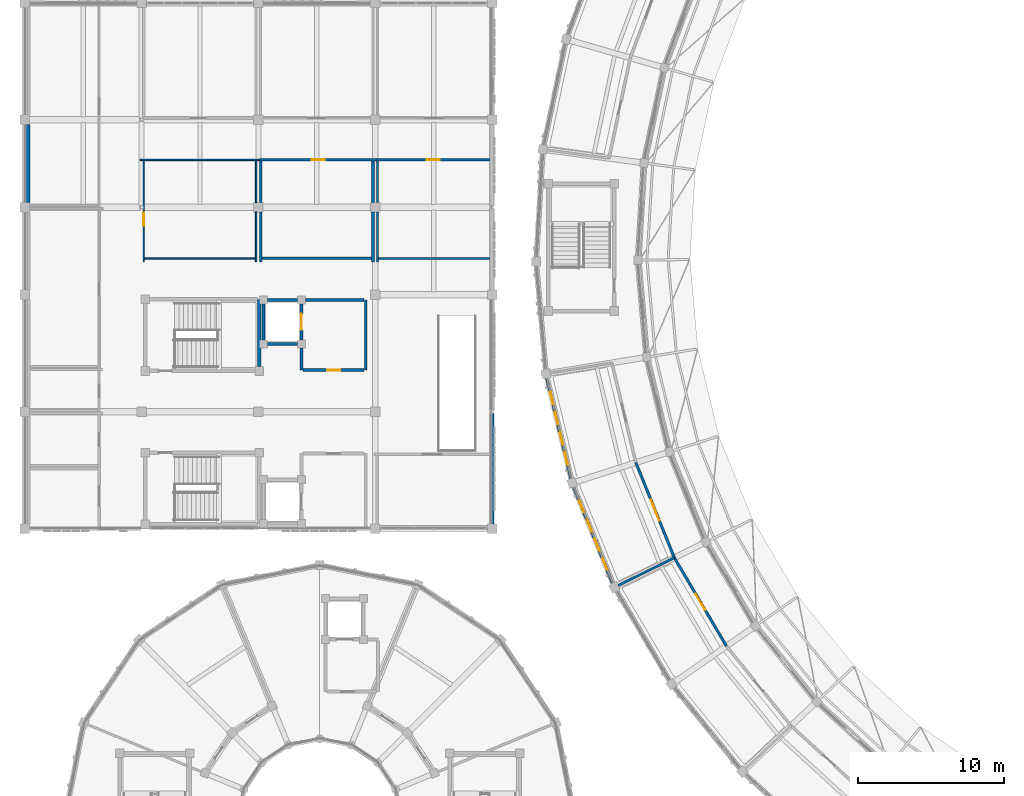
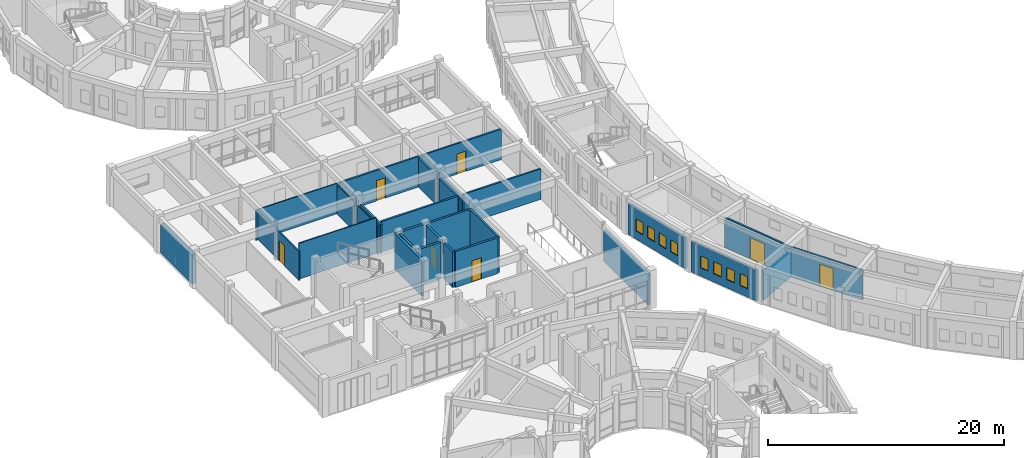
# One storey, part 78 of 112: 31 walls, 8 windows, 7 doors, 15 openings.
"""IFC4 building model written with IfcOpenShell, lengths in metres."""

from ifc_helpers import new_model, si_unit, direction, frame, frame_2d, origin, place, context, subcontext, project, spatial, rectangle, extrude, material, layer, layer_set, type_object, element, fill, save


model = new_model("IFC4")

# Units and contexts
model_context = context("Model", 3, precision=1e-05, world=origin(), true_north=direction((0.0, 1.0)))
body_context = subcontext(model_context, "Body", "Model", "MODEL_VIEW")
ifc_project = project(units=[si_unit("LENGTHUNIT", "METRE"), si_unit("AREAUNIT", "SQUARE_METRE"), si_unit("VOLUMEUNIT", "CUBIC_METRE"), si_unit("PLANEANGLEUNIT", "RADIAN"), si_unit("MASSUNIT", "GRAM", prefix="KILO")], contexts=[model_context])

# Site, building, storey
site_placement = place(None, origin())
site = spatial("IfcSite", under=ifc_project, at=site_placement, CompositionType="ELEMENT")
building_placement = place(site_placement, origin())
building = spatial("IfcBuilding", under=site, at=building_placement, Name="Celadon Cloister-Ring School", CompositionType="ELEMENT")
storey_placement = place(building_placement, frame((0.0, 0.0, 8.5)))
storey = spatial("IfcBuildingStorey", under=building, at=storey_placement, Name="L02", CompositionType="ELEMENT", Elevation=8.5)

# Wall
ifc_material_1 = material(Name="Rendered concrete blockwork", Category="masonry")
ifc_layer_1 = layer(ifc_material_1, 0.260009765625)
ifc_layer_set_1 = layer_set([ifc_layer_1], Name="Rendered concrete blockwork")
wall_type_1 = type_object("IfcWallType", Name="WT-EX2", PredefinedType="SOLIDWALL", material=ifc_layer_set_1)
wall_1_placement = place(storey_placement, frame((32.0, 47.887939453125, 0.0), z_axis=(0.0, 0.0, 1.0), x_axis=(0.0, -1.0, 0.0)))
element("IfcWall", 1, at=wall_1_placement, inside=storey, type_object=wall_type_1, Name="Exterior Wall 0521", PredefinedType="SOLIDWALL", context=body_context, shape_type="SweptSolid", body=[
    extrude(rectangle(XDim=7.56103515625, YDim=0.260009765625, at=frame_2d((3.780517578125, 0.0))), origin(), (0.0, 0.0, 1.0), 3.152099609375),
])

# Wall, openings, windows
ifc_material_2 = material(Name="Perforated terracotta clay brick masonry", Category="masonry")
ifc_layer_2 = layer(ifc_material_2, 0.219970703125)
ifc_layer_set_2 = layer_set([ifc_layer_2], Name="Perforated terracotta clay brick masonry")
wall_type_2 = type_object("IfcWallType", Name="WT-EX4", PredefinedType="SOLIDWALL", material=ifc_layer_set_2)
wall_2_placement = place(storey_placement, frame((37.412109375, 43.419921875, 0.0), z_axis=(0.0, 0.0, 1.0), x_axis=(-0.234017027709, 0.972232498296, 0.0)))
wall_2 = element("IfcWall", 2, at=wall_2_placement, inside=storey, type_object=wall_type_2, Name="Exterior Wall 0118", PredefinedType="SOLIDWALL", context=body_context, shape_type="SweptSolid", body=[
    extrude(rectangle(XDim=7.08154296875, YDim=0.219970703125, at=frame_2d((3.540771484375, 0.0))), origin(), (0.0, 0.0, 1.0), 3.19189453125),
])
opening_1_placement = place(wall_2_placement, frame((0.990966796875, 0.0, 0.85009765625)))
opening_1 = element("IfcOpeningElement", 3, at=opening_1_placement, cuts=wall_2, Name="Opening WN-11", PredefinedType="OPENING", context=body_context, shape_type="SweptSolid", body=[
    extrude(rectangle(XDim=0.85009765625, YDim=1.25, at=frame_2d((0.425048828125, 0.625))), frame((0.0, 0.1201171875, 0.0), z_axis=(0.0, -1.0, 0.0), x_axis=(1.0, 0.0, 0.0)), (0.0, 0.0, 1.0), 0.239990234375),
])
opening_2_placement = place(wall_2_placement, frame((2.407958984375, 0.0, 0.85009765625)))
opening_2 = element("IfcOpeningElement", 4, at=opening_2_placement, cuts=wall_2, Name="Opening WN-11", PredefinedType="OPENING", context=body_context, shape_type="SweptSolid", body=[
    extrude(rectangle(XDim=0.85009765625, YDim=1.25, at=frame_2d((0.425048828125, 0.625))), frame((0.0, 0.1201171875, 0.0), z_axis=(0.0, -1.0, 0.0), x_axis=(1.0, 0.0, 0.0)), (0.0, 0.0, 1.0), 0.239990234375),
])
opening_3_placement = place(wall_2_placement, frame((3.823974609375, 0.0, 0.85009765625)))
opening_3 = element("IfcOpeningElement", 5, at=opening_3_placement, cuts=wall_2, Name="Opening WN-11", PredefinedType="OPENING", context=body_context, shape_type="SweptSolid", body=[
    extrude(rectangle(XDim=0.85009765625, YDim=1.25, at=frame_2d((0.425048828125, 0.625))), frame((0.0, 0.1201171875, 0.0), z_axis=(0.0, -1.0, 0.0), x_axis=(1.0, 0.0, 0.0)), (0.0, 0.0, 1.0), 0.239990234375),
])
opening_4_placement = place(wall_2_placement, frame((5.239990234375, 0.0, 0.85009765625)))
opening_4 = element("IfcOpeningElement", 6, at=opening_4_placement, cuts=wall_2, Name="Opening WN-11", PredefinedType="OPENING", context=body_context, shape_type="SweptSolid", body=[
    extrude(rectangle(XDim=0.85009765625, YDim=1.25, at=frame_2d((0.425048828125, 0.625))), frame((0.0, 0.1201171875, 0.0), z_axis=(0.0, -1.0, 0.0), x_axis=(1.0, 0.0, 0.0)), (0.0, 0.0, 1.0), 0.239990234375),
])
ifc_material_3 = material(Name="Tempered laminated insulating glass", Category="glass")
window_type = type_object("IfcWindowType", Name="WN-11", PartitioningType="SINGLE_PANEL", PredefinedType="WINDOW", material=ifc_material_3)
window_1_placement = place(opening_1_placement, origin())
window_1 = element("IfcWindow", 7, at=window_1_placement, inside=storey, type_object=window_type, Name="Window 0311", OverallHeight=1.25, OverallWidth=0.85009765625, PartitioningType="SINGLE_PANEL", PredefinedType="WINDOW", context=body_context, shape_type="SweptSolid", body=[
    extrude(rectangle(XDim=0.85009765625, YDim=1.25, at=frame_2d((0.425048828125, 0.625))), frame((0.0, 0.030029296875, 0.0), z_axis=(0.0, -1.0, 0.0), x_axis=(1.0, 0.0, 0.0)), (0.0, 0.0, 1.0), 0.06005859375),
])
fill(opening_1, window_1)
window_2_placement = place(opening_2_placement, origin())
window_2 = element("IfcWindow", 8, at=window_2_placement, inside=storey, type_object=window_type, Name="Window 0312", OverallHeight=1.25, OverallWidth=0.85009765625, PartitioningType="SINGLE_PANEL", PredefinedType="WINDOW", context=body_context, shape_type="SweptSolid", body=[
    extrude(rectangle(XDim=0.85009765625, YDim=1.25, at=frame_2d((0.425048828125, 0.625))), frame((0.0, 0.030029296875, 0.0), z_axis=(0.0, -1.0, 0.0), x_axis=(1.0, 0.0, 0.0)), (0.0, 0.0, 1.0), 0.06005859375),
])
fill(opening_2, window_2)
window_3_placement = place(opening_3_placement, origin())
window_3 = element("IfcWindow", 9, at=window_3_placement, inside=storey, type_object=window_type, Name="Window 0313", OverallHeight=1.25, OverallWidth=0.85009765625, PartitioningType="SINGLE_PANEL", PredefinedType="WINDOW", context=body_context, shape_type="SweptSolid", body=[
    extrude(rectangle(XDim=0.85009765625, YDim=1.25, at=frame_2d((0.425048828125, 0.625))), frame((0.0, 0.030029296875, 0.0), z_axis=(0.0, -1.0, 0.0), x_axis=(1.0, 0.0, 0.0)), (0.0, 0.0, 1.0), 0.06005859375),
])
fill(opening_3, window_3)
window_4_placement = place(opening_4_placement, origin())
window_4 = element("IfcWindow", 10, at=window_4_placement, inside=storey, type_object=window_type, Name="Window 0314", OverallHeight=1.25, OverallWidth=0.85009765625, PartitioningType="SINGLE_PANEL", PredefinedType="WINDOW", context=body_context, shape_type="SweptSolid", body=[
    extrude(rectangle(XDim=0.85009765625, YDim=1.25, at=frame_2d((0.425048828125, 0.625))), frame((0.0, 0.030029296875, 0.0), z_axis=(0.0, -1.0, 0.0), x_axis=(1.0, 0.0, 0.0)), (0.0, 0.0, 1.0), 0.06005859375),
])
fill(opening_4, window_4)

wall_3_placement = place(storey_placement, frame((40.258056640625, 36.264892578125, 0.0), z_axis=(0.0, 0.0, 1.0), x_axis=(-0.375031251377, 0.92701216847, 0.0)))
wall_3 = element("IfcWall", 11, at=wall_3_placement, inside=storey, type_object=wall_type_2, Name="Exterior Wall 0120", PredefinedType="SOLIDWALL", context=body_context, shape_type="SweptSolid", body=[
    extrude(rectangle(XDim=7.08203125, YDim=0.219970703125, at=frame_2d((3.541015625, 0.0))), origin(), (0.0, 0.0, 1.0), 3.19189453125),
])
opening_5_placement = place(wall_3_placement, frame((0.990966796875, 0.0, 0.85009765625)))
opening_5 = element("IfcOpeningElement", 12, at=opening_5_placement, cuts=wall_3, Name="Opening WN-11", PredefinedType="OPENING", context=body_context, shape_type="SweptSolid", body=[
    extrude(rectangle(XDim=0.85009765625, YDim=1.25, at=frame_2d((0.425048828125, 0.625))), frame((0.0, 0.1201171875, 0.0), z_axis=(0.0, -1.0, 0.0), x_axis=(1.0, 0.0, 0.0)), (0.0, 0.0, 1.0), 0.239990234375),
])
opening_6_placement = place(wall_3_placement, frame((2.407958984375, 0.0, 0.85009765625)))
opening_6 = element("IfcOpeningElement", 13, at=opening_6_placement, cuts=wall_3, Name="Opening WN-11", PredefinedType="OPENING", context=body_context, shape_type="SweptSolid", body=[
    extrude(rectangle(XDim=0.85009765625, YDim=1.25, at=frame_2d((0.425048828125, 0.625))), frame((0.0, 0.1201171875, 0.0), z_axis=(0.0, -1.0, 0.0), x_axis=(1.0, 0.0, 0.0)), (0.0, 0.0, 1.0), 0.239990234375),
])
opening_7_placement = place(wall_3_placement, frame((3.823974609375, 0.0, 0.85009765625)))
opening_7 = element("IfcOpeningElement", 14, at=opening_7_placement, cuts=wall_3, Name="Opening WN-11", PredefinedType="OPENING", context=body_context, shape_type="SweptSolid", body=[
    extrude(rectangle(XDim=0.85009765625, YDim=1.25, at=frame_2d((0.425048828125, 0.625))), frame((0.0, 0.1201171875, 0.0), z_axis=(0.0, -1.0, 0.0), x_axis=(1.0, 0.0, 0.0)), (0.0, 0.0, 1.0), 0.239990234375),
])
opening_8_placement = place(wall_3_placement, frame((5.240966796875, 0.0, 0.85009765625)))
opening_8 = element("IfcOpeningElement", 15, at=opening_8_placement, cuts=wall_3, Name="Opening WN-11", PredefinedType="OPENING", context=body_context, shape_type="SweptSolid", body=[
    extrude(rectangle(XDim=0.85009765625, YDim=1.25, at=frame_2d((0.425048828125, 0.625))), frame((0.0, 0.1201171875, 0.0), z_axis=(0.0, -1.0, 0.0), x_axis=(1.0, 0.0, 0.0)), (0.0, 0.0, 1.0), 0.239990234375),
])
window_5_placement = place(opening_5_placement, origin())
window_5 = element("IfcWindow", 16, at=window_5_placement, inside=storey, type_object=window_type, Name="Window 0316", OverallHeight=1.25, OverallWidth=0.85009765625, PartitioningType="SINGLE_PANEL", PredefinedType="WINDOW", context=body_context, shape_type="SweptSolid", body=[
    extrude(rectangle(XDim=0.85009765625, YDim=1.25, at=frame_2d((0.425048828125, 0.625))), frame((0.0, 0.030029296875, 0.0), z_axis=(0.0, -1.0, 0.0), x_axis=(1.0, 0.0, 0.0)), (0.0, 0.0, 1.0), 0.06005859375),
])
fill(opening_5, window_5)
window_6_placement = place(opening_6_placement, origin())
window_6 = element("IfcWindow", 17, at=window_6_placement, inside=storey, type_object=window_type, Name="Window 0317", OverallHeight=1.25, OverallWidth=0.85009765625, PartitioningType="SINGLE_PANEL", PredefinedType="WINDOW", context=body_context, shape_type="SweptSolid", body=[
    extrude(rectangle(XDim=0.85009765625, YDim=1.25, at=frame_2d((0.425048828125, 0.625))), frame((0.0, 0.030029296875, 0.0), z_axis=(0.0, -1.0, 0.0), x_axis=(1.0, 0.0, 0.0)), (0.0, 0.0, 1.0), 0.06005859375),
])
fill(opening_6, window_6)
window_7_placement = place(opening_7_placement, origin())
window_7 = element("IfcWindow", 18, at=window_7_placement, inside=storey, type_object=window_type, Name="Window 0318", OverallHeight=1.25, OverallWidth=0.85009765625, PartitioningType="SINGLE_PANEL", PredefinedType="WINDOW", context=body_context, shape_type="SweptSolid", body=[
    extrude(rectangle(XDim=0.85009765625, YDim=1.25, at=frame_2d((0.425048828125, 0.625))), frame((0.0, 0.030029296875, 0.0), z_axis=(0.0, -1.0, 0.0), x_axis=(1.0, 0.0, 0.0)), (0.0, 0.0, 1.0), 0.06005859375),
])
fill(opening_7, window_7)
window_8_placement = place(opening_8_placement, origin())
window_8 = element("IfcWindow", 19, at=window_8_placement, inside=storey, type_object=window_type, Name="Window 0319", OverallHeight=1.25, OverallWidth=0.85009765625, PartitioningType="SINGLE_PANEL", PredefinedType="WINDOW", context=body_context, shape_type="SweptSolid", body=[
    extrude(rectangle(XDim=0.85009765625, YDim=1.25, at=frame_2d((0.425048828125, 0.625))), frame((0.0, 0.030029296875, 0.0), z_axis=(0.0, -1.0, 0.0), x_axis=(1.0, 0.0, 0.0)), (0.0, 0.0, 1.0), 0.06005859375),
])
fill(opening_8, window_8)

# Walls
ifc_material_4 = material(Name="Concrete C40/50", Category="concrete")
ifc_layer_3 = layer(ifc_material_4, 0.35009765625)
ifc_layer_set_3 = layer_set([ifc_layer_3], Name="Concrete C40/50")
wall_type_3 = type_object("IfcWallType", Name="WT-FW2", PredefinedType="SHEAR", material=ifc_layer_set_3)
wall_4_placement = place(storey_placement, frame((0.175048828125, 62.326904296875, 0.0), z_axis=(0.0, 0.0, 1.0), x_axis=(0.0, 1.0, 0.0)))
element("IfcWall", 20, at=wall_4_placement, inside=storey, type_object=wall_type_3, Name="Exterior Wall 0527", PredefinedType="SHEAR", context=body_context, shape_type="SweptSolid", body=[
    extrude(rectangle(XDim=5.34619140625, YDim=0.35009765625, at=frame_2d((2.673095703125, 0.0))), origin(), (0.0, 0.0, 1.0), 3.001953125),
])
ifc_material_5 = material(Name="Plastered hollow concrete masonry", Category="masonry")
ifc_layer_4 = layer(ifc_material_5, 0.199951171875)
ifc_layer_set_4 = layer_set([ifc_layer_4], Name="Plastered hollow concrete masonry")
wall_type_4 = type_object("IfcWallType", Name="WT-PT1", PredefinedType="PARTITIONING", material=ifc_layer_set_4)
wall_5_placement = place(storey_placement, frame((18.949951171875, 50.85009765625, 0.0), z_axis=(0.0, 0.0, 1.0), x_axis=(0.0, 1.0, 0.0)))
element("IfcWall", 21, at=wall_5_placement, inside=storey, type_object=wall_type_4, Name="Interior Wall 0271", PredefinedType="PARTITIONING", context=body_context, shape_type="SweptSolid", body=[
    extrude(rectangle(XDim=1.532958984375, YDim=0.199951171875, at=frame_2d((0.7666015625, 0.0))), origin(), (0.0, 0.0, 1.0), 3.699951171875),
])
wall_6_placement = place(storey_placement, frame((23.35009765625, 50.85009765625, 0.0), z_axis=(0.0, 0.0, 1.0), x_axis=(0.0, 1.0, 0.0)))
element("IfcWall", 22, at=wall_6_placement, inside=storey, type_object=wall_type_4, Name="Interior Wall 0272", PredefinedType="PARTITIONING", context=body_context, shape_type="SweptSolid", body=[
    extrude(rectangle(XDim=4.7998046875, YDim=0.199951171875, at=frame_2d((2.39990234375, 0.0))), origin(), (0.0, 0.0, 1.0), 3.699951171875),
])
wall_7_placement = place(storey_placement, frame((19.217041015625, 55.64990234375, 0.0), z_axis=(0.0, 0.0, 1.0), x_axis=(1.0, 0.0, 0.0)))
element("IfcWall", 23, at=wall_7_placement, inside=storey, type_object=wall_type_4, Name="Interior Wall 0273", PredefinedType="PARTITIONING", context=body_context, shape_type="SweptSolid", body=[
    extrude(rectangle(XDim=4.030029296875, YDim=0.199951171875, at=frame_2d((2.01513671875, 0.0))), origin(), (0.0, 0.0, 1.0), 3.699951171875),
])

# Wall, opening, door
wall_8_placement = place(storey_placement, frame((19.052978515625, 50.85009765625, 0.0), z_axis=(0.0, 0.0, 1.0), x_axis=(1.0, 0.0, 0.0)))
wall_8 = element("IfcWall", 24, at=wall_8_placement, inside=storey, type_object=wall_type_4, Name="Interior Wall 0274", PredefinedType="PARTITIONING", context=body_context, shape_type="SweptSolid", body=[
    extrude(rectangle(XDim=4.194091796875, YDim=0.199951171875, at=frame_2d((2.09716796875, 0.0))), origin(), (0.0, 0.0, 1.0), 3.699951171875),
])
opening_9_placement = place(wall_8_placement, frame((1.64697265625, 0.0, 0.0)))
opening_9 = element("IfcOpeningElement", 25, at=opening_9_placement, cuts=wall_8, Name="Opening D-0093", PredefinedType="OPENING", context=body_context, shape_type="SweptSolid", body=[
    extrude(rectangle(XDim=0.89990234375, YDim=2.199951171875, at=frame_2d((0.449951171875, 1.10009765625))), frame((0.0, 0.10986328125, 0.0), z_axis=(0.0, -1.0, 0.0), x_axis=(1.0, 0.0, 0.0)), (0.0, 0.0, 1.0), 0.219970703125),
])
ifc_material_6 = material(Name="Solid-core fire-rated hardwood leaf", Category="wood")
door_type_1 = type_object("IfcDoorType", Name="DT-06", OperationType="NOTDEFINED", PredefinedType="DOOR", material=ifc_material_6)
door_1_placement = place(opening_9_placement, origin())
door_1 = element("IfcDoor", 26, at=door_1_placement, inside=storey, type_object=door_type_1, Name="Door D-0093", OperationType="SINGLE_SWING_LEFT", OverallHeight=2.199951171875, OverallWidth=0.89990234375, PredefinedType="DOOR", context=body_context, shape_type="SweptSolid", body=[
    extrude(rectangle(XDim=0.89990234375, YDim=2.199951171875, at=frame_2d((0.449951171875, 1.10009765625))), frame((0.0, 0.02490234375, 0.0), z_axis=(0.0, -1.0, 0.0), x_axis=(1.0, 0.0, 0.0)), (0.0, 0.0, 1.0), 0.050048828125),
])
fill(opening_9, door_1)

ifc_material_7 = material(Name="Plastered hollow concrete masonry", Category="masonry")
ifc_layer_5 = layer(ifc_material_7, 0.179931640625)
ifc_layer_set_5 = layer_set([ifc_layer_5], Name="Plastered hollow concrete masonry")
wall_type_5 = type_object("IfcWallType", Name="WT-PT2", PredefinedType="PARTITIONING", material=ifc_layer_set_5)
wall_9_placement = place(storey_placement, frame((41.845947265625, 44.51708984375, 0.0), z_axis=(0.0, 0.0, 1.0), x_axis=(0.375036360506, -0.927010101508, 0.0)))
wall_9 = element("IfcWall", 27, at=wall_9_placement, inside=storey, type_object=wall_type_5, Name="Interior Wall 0569", PredefinedType="PARTITIONING", context=body_context, shape_type="SweptSolid", body=[
    extrude(rectangle(XDim=7.026123046875, YDim=0.179931640625, at=frame_2d((3.51318359375, 0.0))), origin(), (0.0, 0.0, 1.0), 3.092041015625),
])
opening_10_placement = place(wall_9_placement, frame((2.738037109375, 0.0, 0.0)))
opening_10 = element("IfcOpeningElement", 28, at=opening_10_placement, cuts=wall_9, Name="Opening D-0184", PredefinedType="OPENING", context=body_context, shape_type="SweptSolid", body=[
    extrude(rectangle(XDim=1.550048828125, YDim=2.199951171875, at=frame_2d((0.77490234375, 1.10009765625))), frame((0.0, 0.10009765625, 0.0), z_axis=(0.0, -1.0, 0.0), x_axis=(1.0, 0.0, 0.0)), (0.0, 0.0, 1.0), 0.199951171875),
])
ifc_material_8 = material(Name="Galvanised fire-rated hollow steel leaf", Category="steel")
door_type_2 = type_object("IfcDoorType", Name="DT-13", OperationType="NOTDEFINED", PredefinedType="DOOR", material=ifc_material_8)
door_2_placement = place(opening_10_placement, origin())
door_2 = element("IfcDoor", 29, at=door_2_placement, inside=storey, type_object=door_type_2, Name="Door D-0184", OperationType="SINGLE_SWING_RIGHT", OverallHeight=2.199951171875, OverallWidth=1.550048828125, PredefinedType="DOOR", context=body_context, shape_type="SweptSolid", body=[
    extrude(rectangle(XDim=1.550048828125, YDim=2.199951171875, at=frame_2d((0.77490234375, 1.10009765625))), frame((0.0, 0.02490234375, 0.0), z_axis=(0.0, -1.0, 0.0), x_axis=(1.0, 0.0, 0.0)), (0.0, 0.0, 1.0), 0.050048828125),
])
fill(opening_10, door_2)

wall_10_placement = place(storey_placement, frame((44.48095703125, 38.00390625, 0.0), z_axis=(0.0, 0.0, 1.0), x_axis=(0.508041876767, -0.861332369908, 0.0)))
wall_10 = element("IfcWall", 30, at=wall_10_placement, inside=storey, type_object=wall_type_5, Name="Interior Wall 0570", PredefinedType="PARTITIONING", context=body_context, shape_type="SweptSolid", body=[
    extrude(rectangle(XDim=7.025146484375, YDim=0.179931640625, at=frame_2d((3.5126953125, 0.0))), origin(), (0.0, 0.0, 1.0), 3.092041015625),
])
opening_11_placement = place(wall_10_placement, frame((2.863037109375, 0.0, 0.0)))
opening_11 = element("IfcOpeningElement", 31, at=opening_11_placement, cuts=wall_10, Name="Opening D-0185", PredefinedType="OPENING", context=body_context, shape_type="SweptSolid", body=[
    extrude(rectangle(XDim=1.300048828125, YDim=2.280029296875, at=frame_2d((0.64990234375, 1.14013671875))), frame((0.0, 0.10009765625, 0.0), z_axis=(0.0, -1.0, 0.0), x_axis=(1.0, 0.0, 0.0)), (0.0, 0.0, 1.0), 0.199951171875),
])
ifc_material_9 = material(Name="Galvanised fire-rated hollow steel leaf", Category="steel")
door_type_3 = type_object("IfcDoorType", Name="DT-16", OperationType="NOTDEFINED", PredefinedType="DOOR", material=ifc_material_9)
door_3_placement = place(opening_11_placement, origin())
door_3 = element("IfcDoor", 32, at=door_3_placement, inside=storey, type_object=door_type_3, Name="Door D-0185", OperationType="SINGLE_SWING_LEFT", OverallHeight=2.280029296875, OverallWidth=1.300048828125, PredefinedType="DOOR", context=body_context, shape_type="SweptSolid", body=[
    extrude(rectangle(XDim=1.300048828125, YDim=2.280029296875, at=frame_2d((0.64990234375, 1.14013671875))), frame((0.0, 0.02490234375, 0.0), z_axis=(0.0, -1.0, 0.0), x_axis=(1.0, 0.0, 0.0)), (0.0, 0.0, 1.0), 0.050048828125),
])
fill(opening_11, door_3)

wall_11_placement = place(storey_placement, frame((16.090087890625, 65.25, 0.0), z_axis=(0.0, 0.0, 1.0), x_axis=(1.0, 0.0, 0.0)))
wall_11 = element("IfcWall", 33, at=wall_11_placement, inside=storey, type_object=wall_type_5, Name="Interior Wall 1034", PredefinedType="PARTITIONING", context=body_context, shape_type="SweptSolid", body=[
    extrude(rectangle(XDim=8.0, YDim=0.179931640625, at=frame_2d((4.0, 0.0))), origin(), (0.0, 0.0, 1.0), 3.152099609375),
])
opening_12_placement = place(wall_11_placement, frame((3.56005859375, 0.0, 0.0)))
opening_12 = element("IfcOpeningElement", 34, at=opening_12_placement, cuts=wall_11, Name="Opening D-0370", PredefinedType="OPENING", context=body_context, shape_type="SweptSolid", body=[
    extrude(rectangle(XDim=0.8798828125, YDim=2.10009765625, at=frame_2d((0.43994140625, 1.050048828125))), frame((0.0, 0.10009765625, 0.0), z_axis=(0.0, -1.0, 0.0), x_axis=(1.0, 0.0, 0.0)), (0.0, 0.0, 1.0), 0.199951171875),
])
ifc_material_10 = material(Name="Solid-core fire-rated hardwood leaf", Category="wood")
door_type_4 = type_object("IfcDoorType", Name="DT-01", OperationType="NOTDEFINED", PredefinedType="DOOR", material=ifc_material_10)
door_4_placement = place(opening_12_placement, origin())
door_4 = element("IfcDoor", 35, at=door_4_placement, inside=storey, type_object=door_type_4, Name="Door D-0370", OperationType="SINGLE_SWING_RIGHT", OverallHeight=2.10009765625, OverallWidth=0.8798828125, PredefinedType="DOOR", context=body_context, shape_type="SweptSolid", body=[
    extrude(rectangle(XDim=0.8798828125, YDim=2.10009765625, at=frame_2d((0.43994140625, 1.050048828125))), frame((0.0, 0.02490234375, 0.0), z_axis=(0.0, -1.0, 0.0), x_axis=(1.0, 0.0, 0.0)), (0.0, 0.0, 1.0), 0.050048828125),
])
fill(opening_12, door_4)

# Walls
wall_12_placement = place(storey_placement, frame((23.85009765625, 65.156982421875, 0.0), z_axis=(0.0, 0.0, 1.0), x_axis=(0.0, -1.0, 0.0)))
element("IfcWall", 36, at=wall_12_placement, inside=storey, type_object=wall_type_5, Name="Interior Wall 1035", PredefinedType="PARTITIONING", context=body_context, shape_type="SweptSolid", body=[
    extrude(rectangle(XDim=2.840087890625, YDim=0.179931640625, at=frame_2d((1.419921875, 0.0))), origin(), (0.0, 0.0, 1.0), 3.001953125),
])
for number, where, z_axis, x_axis, name in (
    (37, (23.85009765625, 61.68310546875, 0.0), (0.0, 0.0, 1.0), (0.0, -1.0, 0.0), "Interior Wall 1036"),
    (38, (16.14990234375, 58.260009765625, 0.0), (0.0, 0.0, 1.0), (0.0, 1.0, 0.0), "Interior Wall 1037"),
):
    element("IfcWall", number, at=place(storey_placement, frame(where, z_axis=z_axis, x_axis=x_axis)), inside=storey, type_object=wall_type_5, Name=name, PredefinedType="PARTITIONING", context=body_context, shape_type="SweptSolid", body=[
        extrude(rectangle(XDim=3.423095703125, YDim=0.179931640625, at=frame_2d((1.71142578125, 0.0))), origin(), (0.0, 0.0, 1.0), 3.001953125),
    ])
wall_13_placement = place(storey_placement, frame((16.14990234375, 62.31689453125, 0.0), z_axis=(0.0, 0.0, 1.0), x_axis=(0.0, 1.0, 0.0)))
element("IfcWall", 39, at=wall_13_placement, inside=storey, type_object=wall_type_5, Name="Interior Wall 1038", PredefinedType="PARTITIONING", context=body_context, shape_type="SweptSolid", body=[
    extrude(rectangle(XDim=2.840087890625, YDim=0.179931640625, at=frame_2d((1.419921875, 0.0))), origin(), (0.0, 0.0, 1.0), 3.001953125),
])
wall_14_placement = place(storey_placement, frame((23.757080078125, 58.5, 0.0), z_axis=(0.0, 0.0, 1.0), x_axis=(-1.0, 0.0, 0.0)))
element("IfcWall", 40, at=wall_14_placement, inside=storey, type_object=wall_type_5, Name="Interior Wall 1039", PredefinedType="PARTITIONING", context=body_context, shape_type="SweptSolid", body=[
    extrude(rectangle(XDim=7.51416015625, YDim=0.179931640625, at=frame_2d((3.757080078125, 0.0))), origin(), (0.0, 0.0, 1.0), 3.152099609375),
])
ifc_material_11 = material(Name="Plastered hollow concrete masonry", Category="masonry")
ifc_layer_6 = layer(ifc_material_11, 0.159912109375)
ifc_layer_set_6 = layer_set([ifc_layer_6], Name="Plastered hollow concrete masonry")
wall_type_6 = type_object("IfcWallType", Name="WT-PT3", PredefinedType="PARTITIONING", material=ifc_layer_set_6)
wall_15_placement = place(storey_placement, frame((44.48095703125, 38.00390625, 0.0), z_axis=(0.0, 0.0, 1.0), x_axis=(-0.896659718164, -0.442720396889, 0.0)))
element("IfcWall", 41, at=wall_15_placement, inside=storey, type_object=wall_type_6, Name="Interior Wall 0542", PredefinedType="PARTITIONING", context=body_context, shape_type="SweptSolid", body=[
    extrude(rectangle(XDim=4.287109375, YDim=0.159912109375, at=frame_2d((2.1435546875, 0.0))), origin(), (0.0, 0.0, 1.0), 3.092041015625),
])

# Wall, opening, door
wall_16_placement = place(storey_placement, frame((24.090087890625, 65.25, 0.0), z_axis=(0.0, 0.0, 1.0), x_axis=(1.0, 0.0, 0.0)))
wall_16 = element("IfcWall", 42, at=wall_16_placement, inside=storey, type_object=wall_type_6, Name="Interior Wall 1040", PredefinedType="PARTITIONING", context=body_context, shape_type="SweptSolid", body=[
    extrude(rectangle(XDim=7.77685546875, YDim=0.159912109375, at=frame_2d((3.888427734375, 0.0))), origin(), (0.0, 0.0, 1.0), 3.152099609375),
])
opening_13_placement = place(wall_16_placement, frame((3.448974609375, 0.0, 0.0)))
opening_13 = element("IfcOpeningElement", 43, at=opening_13_placement, cuts=wall_16, Name="Opening D-0371", PredefinedType="OPENING", context=body_context, shape_type="SweptSolid", body=[
    extrude(rectangle(XDim=0.8798828125, YDim=2.10009765625, at=frame_2d((0.43994140625, 1.050048828125))), frame((0.0, 0.08984375, 0.0), z_axis=(0.0, -1.0, 0.0), x_axis=(1.0, 0.0, 0.0)), (0.0, 0.0, 1.0), 0.179931640625),
])
door_5_placement = place(opening_13_placement, origin())
door_5 = element("IfcDoor", 44, at=door_5_placement, inside=storey, type_object=door_type_4, Name="Door D-0371", OperationType="SINGLE_SWING_LEFT", OverallHeight=2.10009765625, OverallWidth=0.8798828125, PredefinedType="DOOR", context=body_context, shape_type="SweptSolid", body=[
    extrude(rectangle(XDim=0.8798828125, YDim=2.10009765625, at=frame_2d((0.43994140625, 1.050048828125))), frame((0.0, 0.02490234375, 0.0), z_axis=(0.0, -1.0, 0.0), x_axis=(1.0, 0.0, 0.0)), (0.0, 0.0, 1.0), 0.050048828125),
])
fill(opening_13, door_5)

# Walls
wall_17_placement = place(storey_placement, frame((24.14990234375, 58.260009765625, 0.0), z_axis=(0.0, 0.0, 1.0), x_axis=(0.0, 1.0, 0.0)))
element("IfcWall", 45, at=wall_17_placement, inside=storey, type_object=wall_type_6, Name="Interior Wall 1041", PredefinedType="PARTITIONING", context=body_context, shape_type="SweptSolid", body=[
    extrude(rectangle(XDim=3.423095703125, YDim=0.159912109375, at=frame_2d((1.71142578125, 0.0))), origin(), (0.0, 0.0, 1.0), 3.001953125),
])
wall_18_placement = place(storey_placement, frame((24.14990234375, 62.31689453125, 0.0), z_axis=(0.0, 0.0, 1.0), x_axis=(0.0, 1.0, 0.0)))
element("IfcWall", 46, at=wall_18_placement, inside=storey, type_object=wall_type_6, Name="Interior Wall 1042", PredefinedType="PARTITIONING", context=body_context, shape_type="SweptSolid", body=[
    extrude(rectangle(XDim=2.85009765625, YDim=0.159912109375, at=frame_2d((1.425048828125, 0.0))), origin(), (0.0, 0.0, 1.0), 3.001953125),
])
wall_19_placement = place(storey_placement, frame((31.866943359375, 58.5, 0.0), z_axis=(0.0, 0.0, 1.0), x_axis=(-1.0, 0.0, 0.0)))
element("IfcWall", 47, at=wall_19_placement, inside=storey, type_object=wall_type_6, Name="Interior Wall 1043", PredefinedType="PARTITIONING", context=body_context, shape_type="SweptSolid", body=[
    extrude(rectangle(XDim=7.634033203125, YDim=0.159912109375, at=frame_2d((3.81689453125, 0.0))), origin(), (0.0, 0.0, 1.0), 3.152099609375),
])
ifc_material_12 = material(Name="Acoustic mineral-wool drywall partition")
ifc_layer_7 = layer(ifc_material_12, 0.10009765625)
ifc_layer_set_7 = layer_set([ifc_layer_7], Name="Acoustic mineral-wool drywall partition")
wall_type_7 = type_object("IfcWallType", Name="WT-PT6", PredefinedType="PARTITIONING", material=ifc_layer_set_7)
wall_20_placement = place(storey_placement, frame((7.909912109375, 65.25, 0.0), z_axis=(0.0, 0.0, 1.0), x_axis=(1.0, 0.0, 0.0)))
element("IfcWall", 48, at=wall_20_placement, inside=storey, type_object=wall_type_7, Name="Interior Wall 1029", PredefinedType="PARTITIONING", context=body_context, shape_type="SweptSolid", body=[
    extrude(rectangle(XDim=8.18017578125, YDim=0.10009765625, at=frame_2d((4.090087890625, 0.0))), origin(), (0.0, 0.0, 1.0), 3.152099609375),
])
wall_21_placement = place(storey_placement, frame((15.85009765625, 65.197021484375, 0.0), z_axis=(0.0, 0.0, 1.0), x_axis=(0.0, -1.0, 0.0)))
element("IfcWall", 49, at=wall_21_placement, inside=storey, type_object=wall_type_7, Name="Interior Wall 1030", PredefinedType="PARTITIONING", context=body_context, shape_type="SweptSolid", body=[
    extrude(rectangle(XDim=2.880126953125, YDim=0.10009765625, at=frame_2d((1.43994140625, 0.0))), origin(), (0.0, 0.0, 1.0), 3.001953125),
])
wall_22_placement = place(storey_placement, frame((15.85009765625, 61.68310546875, 0.0), z_axis=(0.0, 0.0, 1.0), x_axis=(0.0, -1.0, 0.0)))
element("IfcWall", 50, at=wall_22_placement, inside=storey, type_object=wall_type_7, Name="Interior Wall 1031", PredefinedType="PARTITIONING", context=body_context, shape_type="SweptSolid", body=[
    extrude(rectangle(XDim=3.423095703125, YDim=0.10009765625, at=frame_2d((1.71142578125, 0.0))), origin(), (0.0, 0.0, 1.0), 3.001953125),
])

# Wall, opening, door
wall_23_placement = place(storey_placement, frame((8.14990234375, 58.260009765625, 0.0), z_axis=(0.0, 0.0, 1.0), x_axis=(0.0, 1.0, 0.0)))
wall_23 = element("IfcWall", 51, at=wall_23_placement, inside=storey, type_object=wall_type_7, Name="Interior Wall 1032", PredefinedType="PARTITIONING", context=body_context, shape_type="SweptSolid", body=[
    extrude(rectangle(XDim=6.93701171875, YDim=0.10009765625, at=frame_2d((3.468505859375, 0.0))), origin(), (0.0, 0.0, 1.0), 3.001953125),
])
opening_14_placement = place(wall_23_placement, frame((2.47412109375, 0.0, 0.0)))
opening_14 = element("IfcOpeningElement", 52, at=opening_14_placement, cuts=wall_23, Name="Opening D-0369", PredefinedType="OPENING", context=body_context, shape_type="SweptSolid", body=[
    extrude(rectangle(XDim=0.8798828125, YDim=2.10009765625, at=frame_2d((0.43994140625, 1.050048828125))), frame((0.0, 0.06005859375, 0.0), z_axis=(0.0, -1.0, 0.0), x_axis=(1.0, 0.0, 0.0)), (0.0, 0.0, 1.0), 0.1201171875),
])
door_6_placement = place(opening_14_placement, origin())
door_6 = element("IfcDoor", 53, at=door_6_placement, inside=storey, type_object=door_type_4, Name="Door D-0369", OperationType="SINGLE_SWING_LEFT", OverallHeight=2.10009765625, OverallWidth=0.8798828125, PredefinedType="DOOR", context=body_context, shape_type="SweptSolid", body=[
    extrude(rectangle(XDim=0.8798828125, YDim=2.10009765625, at=frame_2d((0.43994140625, 1.050048828125))), frame((0.0, 0.02490234375, 0.0), z_axis=(0.0, -1.0, 0.0), x_axis=(1.0, 0.0, 0.0)), (0.0, 0.0, 1.0), 0.050048828125),
])
fill(opening_14, door_6)

# Walls
wall_24_placement = place(storey_placement, frame((15.797119140625, 58.5, 0.0), z_axis=(0.0, 0.0, 1.0), x_axis=(-1.0, 0.0, 0.0)))
element("IfcWall", 54, at=wall_24_placement, inside=storey, type_object=wall_type_7, Name="Interior Wall 1033", PredefinedType="PARTITIONING", context=body_context, shape_type="SweptSolid", body=[
    extrude(rectangle(XDim=7.59423828125, YDim=0.10009765625, at=frame_2d((3.797119140625, 0.0))), origin(), (0.0, 0.0, 1.0), 3.699951171875),
])
ifc_material_13 = material(Name="Concrete C40/50", Category="concrete")
ifc_layer_8 = layer(ifc_material_13, 0.239990234375)
ifc_layer_set_8 = layer_set([ifc_layer_8], Name="Concrete C40/50")
wall_type_8 = type_object("IfcWallType", Name="WT-SH1", PredefinedType="SHEAR", material=ifc_layer_set_8)
wall_25_placement = place(storey_placement, frame((16.050048828125, 55.699951171875, 0.0), z_axis=(0.0, 0.0, 1.0), x_axis=(0.0, -1.0, 0.0)))
element("IfcWall", 55, at=wall_25_placement, inside=storey, type_object=wall_type_8, Name="Interior Wall 0034", PredefinedType="SHEAR", context=body_context, shape_type="SweptSolid", body=[
    extrude(rectangle(XDim=4.60791015625, YDim=0.239990234375, at=frame_2d((2.303955078125, 0.0))), origin(), (0.0, 0.0, 1.0), 3.739990234375),
])
ifc_material_14 = material(Name="Concrete C40/50", Category="concrete")
ifc_layer_9 = layer(ifc_material_14, 0.219970703125)
ifc_layer_set_9 = layer_set([ifc_layer_9], Name="Concrete C40/50")
wall_type_9 = type_object("IfcWallType", Name="WT-SH2", PredefinedType="SHEAR", material=ifc_layer_set_9)
wall_26_placement = place(storey_placement, frame((16.616943359375, 52.64990234375, 0.0), z_axis=(0.0, 0.0, 1.0), x_axis=(1.0, 0.0, 0.0)))
element("IfcWall", 56, at=wall_26_placement, inside=storey, type_object=wall_type_9, Name="Interior Wall 0267", PredefinedType="SHEAR", context=body_context, shape_type="SweptSolid", body=[
    extrude(rectangle(XDim=2.066162109375, YDim=0.219970703125, at=frame_2d((1.033203125, 0.0))), origin(), (0.0, 0.0, 1.0), 3.739990234375),
])

# Wall, opening, door
wall_27_placement = place(storey_placement, frame((18.949951171875, 52.9169921875, 0.0), z_axis=(0.0, 0.0, 1.0), x_axis=(0.0, 1.0, 0.0)))
wall_27 = element("IfcWall", 57, at=wall_27_placement, inside=storey, type_object=wall_type_9, Name="Interior Wall 0268", PredefinedType="SHEAR", context=body_context, shape_type="SweptSolid", body=[
    extrude(rectangle(XDim=2.466064453125, YDim=0.219970703125, at=frame_2d((1.23291015625, 0.0))), origin(), (0.0, 0.0, 1.0), 3.739990234375),
])
opening_15_placement = place(wall_27_placement, frame((0.68310546875, 0.0, 0.0)))
opening_15 = element("IfcOpeningElement", 58, at=opening_15_placement, cuts=wall_27, Name="Opening LD-009", PredefinedType="OPENING", context=body_context, shape_type="SweptSolid", body=[
    extrude(rectangle(XDim=1.10009765625, YDim=2.14990234375, at=frame_2d((0.550048828125, 1.074951171875))), frame((0.0, 0.1201171875, 0.0), z_axis=(0.0, -1.0, 0.0), x_axis=(1.0, 0.0, 0.0)), (0.0, 0.0, 1.0), 0.239990234375),
])
ifc_material_15 = material(Name="Galvanised fire-rated hollow steel leaf", Category="steel")
door_type_5 = type_object("IfcDoorType", Name="DT-LD1", OperationType="DOUBLE_DOOR_SLIDING", PredefinedType="DOOR", material=ifc_material_15)
door_7_placement = place(opening_15_placement, origin())
door_7 = element("IfcDoor", 59, at=door_7_placement, inside=storey, type_object=door_type_5, Name="Door LD-009", OperationType="DOUBLE_DOOR_SLIDING", OverallHeight=2.14990234375, OverallWidth=1.10009765625, PredefinedType="DOOR", context=body_context, shape_type="SweptSolid", body=[
    extrude(rectangle(XDim=1.10009765625, YDim=2.14990234375, at=frame_2d((0.550048828125, 1.074951171875))), frame((0.0, 0.02490234375, 0.0), z_axis=(0.0, -1.0, 0.0), x_axis=(1.0, 0.0, 0.0)), (0.0, 0.0, 1.0), 0.050048828125),
])
fill(opening_15, door_7)

# Walls
wall_28_placement = place(storey_placement, frame((18.68310546875, 55.64990234375, 0.0), z_axis=(0.0, 0.0, 1.0), x_axis=(-1.0, 0.0, 0.0)))
element("IfcWall", 60, at=wall_28_placement, inside=storey, type_object=wall_type_9, Name="Interior Wall 0269", PredefinedType="SHEAR", context=body_context, shape_type="SweptSolid", body=[
    extrude(rectangle(XDim=2.066162109375, YDim=0.219970703125, at=frame_2d((1.033203125, 0.0))), origin(), (0.0, 0.0, 1.0), 3.739990234375),
])
wall_29_placement = place(storey_placement, frame((16.35009765625, 55.383056640625, 0.0), z_axis=(0.0, 0.0, 1.0), x_axis=(0.0, -1.0, 0.0)))
element("IfcWall", 61, at=wall_29_placement, inside=storey, type_object=wall_type_9, Name="Interior Wall 0270", PredefinedType="SHEAR", context=body_context, shape_type="SweptSolid", body=[
    extrude(rectangle(XDim=2.466064453125, YDim=0.219970703125, at=frame_2d((1.23291015625, 0.0))), origin(), (0.0, 0.0, 1.0), 3.739990234375),
])

save(model, "model.ifc")
